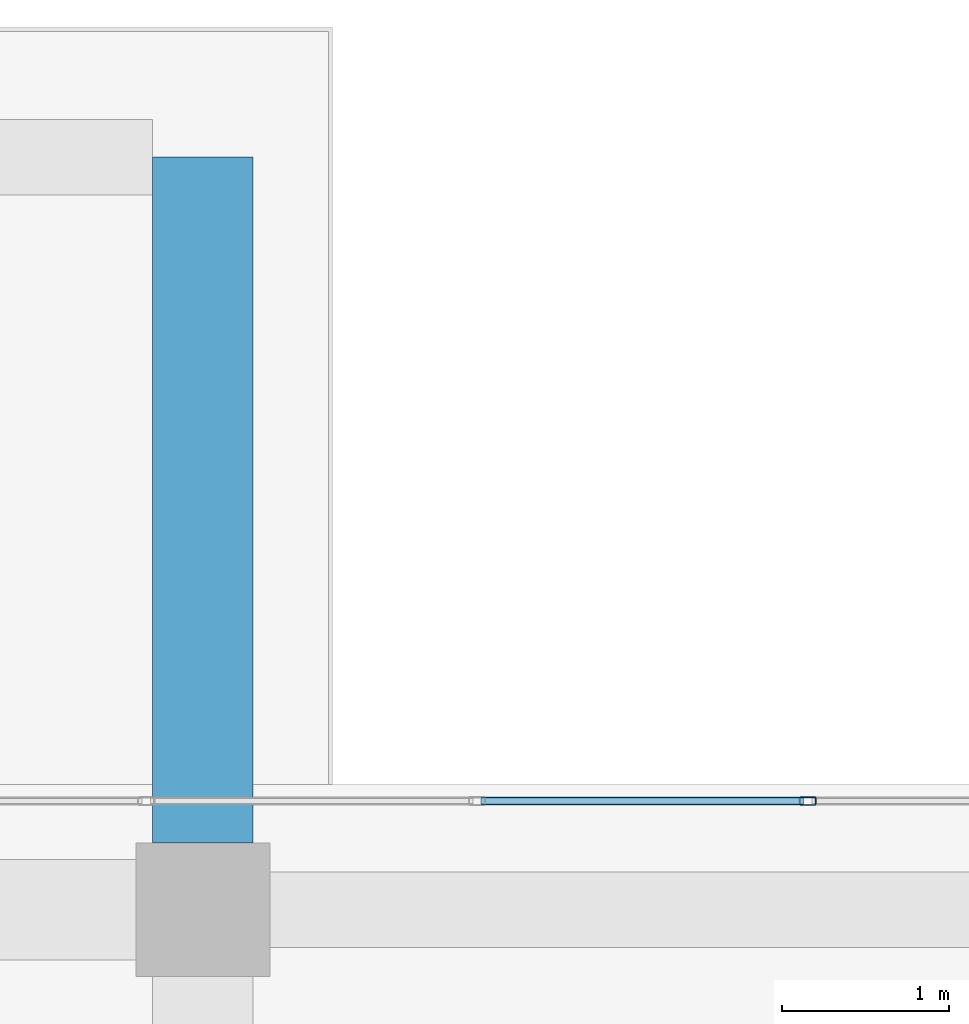
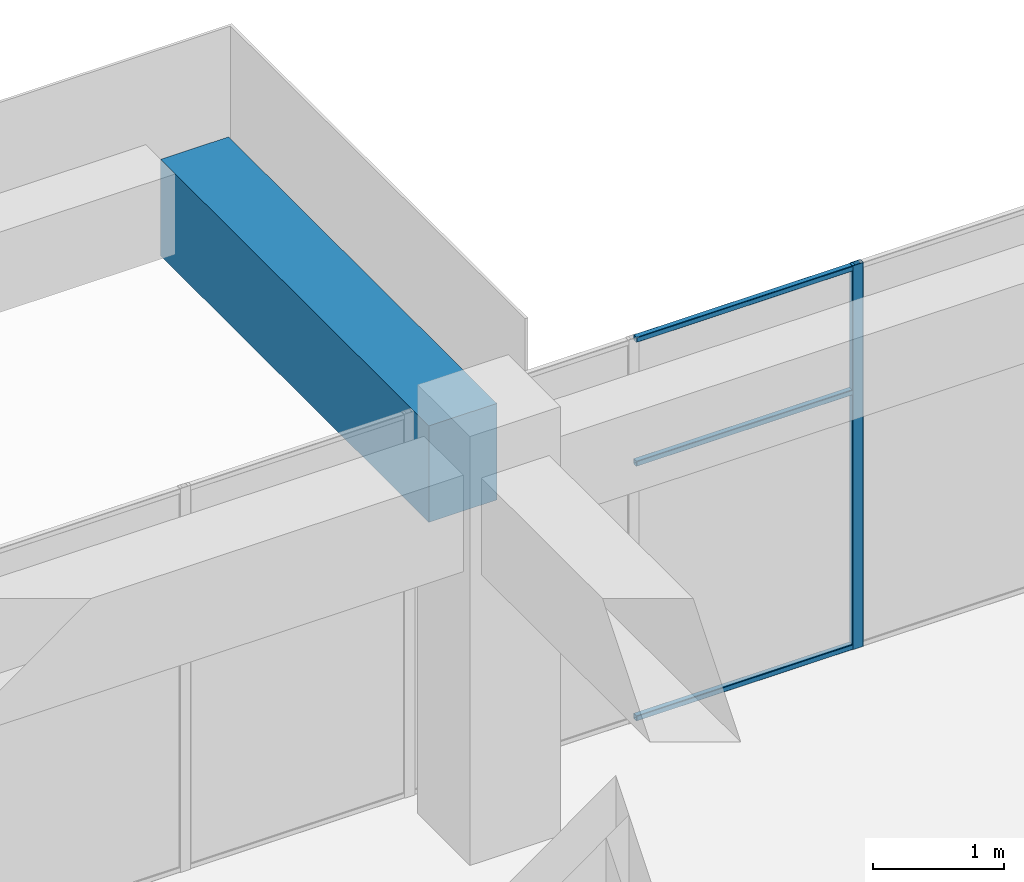
# One storey, part 41 of 72: 4 members, 1 beam, 1 element without a shape of its own.
"""IFC4 building model written with IfcOpenShell, lengths in metres."""

from ifc_helpers import new_model, si_unit, direction, frame, origin, origin_2d, place, context, subcontext, project, spatial, rectangle, hollow_rectangle, extrude, material, layer, layer_set, material_profile, profile_set, type_object, element, aggregate, save


model = new_model("IFC4")

# Units and contexts
model_context = context("Model", 3, precision=1e-05, world=origin(), true_north=direction((0.0, 1.0)))
body_context = subcontext(model_context, "Body", "Model", "MODEL_VIEW")
ifc_project = project(units=[si_unit("LENGTHUNIT", "METRE"), si_unit("AREAUNIT", "SQUARE_METRE"), si_unit("VOLUMEUNIT", "CUBIC_METRE"), si_unit("PLANEANGLEUNIT", "RADIAN"), si_unit("MASSUNIT", "GRAM", prefix="KILO")], contexts=[model_context])

# Site, building, storey
site_placement = place(None, origin())
site = spatial("IfcSite", under=ifc_project, at=site_placement, CompositionType="ELEMENT")
building_placement = place(site_placement, origin())
building = spatial("IfcBuilding", under=site, at=building_placement, Name="Tuart Plaza Theatre", CompositionType="ELEMENT")
storey_placement = place(building_placement, frame((0.0, 0.0, 13.5)))
storey = spatial("IfcBuildingStorey", under=building, at=storey_placement, Name="L03", CompositionType="ELEMENT", Elevation=13.5)

# Beam
ifc_material_1 = material(Name="Concrete N40 (40 MPa)", Category="concrete")
ifc_material_profile_1 = material_profile(ifc_material_1, rectangle(XDim=0.60009765625, YDim=0.89990234375, at=origin_2d()), Name="BEAM 600x900 Concrete N40 (40 MPa)")
ifc_profile_set_1 = profile_set([ifc_material_profile_1], Name="Concrete N40 (40 MPa)")
beam_type = type_object("IfcBeamType", Name="BEAM 600x900 Concrete N40 (40 MPa)", PredefinedType="BEAM", material=ifc_profile_set_1)
beam_placement = place(storey_placement, frame((141.0, 92.39990234375, 3.1298828125), z_axis=(0.0, 1.0, 0.0), x_axis=(-1.0, 0.0, 0.0)))
element("IfcBeam", 1, at=beam_placement, inside=storey, type_object=beam_type, Name="RB206", PredefinedType="BEAM", context=body_context, shape_type="SweptSolid", body=[
    extrude(rectangle(XDim=0.60009765625, YDim=0.89990234375, at=origin_2d()), origin(), (0.0, 0.0, 1.0), 4.10009765625),
])

# Curtain wall, members
ifc_material_2 = material(Name="Aluminium and glass", Category="aluminium")
ifc_layer = layer(ifc_material_2, 0.10009765625)
ifc_layer_set = layer_set([ifc_layer], Name="CURTAIN WALL 2000 module")
curtain_wall_type = type_object("IfcCurtainWallType", Name="CURTAIN WALL 2000 module", PredefinedType="NOTDEFINED", material=ifc_layer_set)
curtain_wall_placement = place(storey_placement, origin())
curtain_wall = element("IfcCurtainWall", 2, at=curtain_wall_placement, inside=storey, type_object=curtain_wall_type, Name="CW70", PredefinedType="NOTDEFINED")
ifc_material_3 = material(Name="Aluminium 6063-T5", Category="aluminium")
ifc_material_profile_2 = material_profile(ifc_material_3, hollow_rectangle(XDim=0.050048828125, YDim=0.10009765625, WallThickness=0.00390625, InnerFilletRadius=0.00390625, OuterFilletRadius=0.008056640625, at=origin_2d()), Name="RHS 100x50x4")
ifc_profile_set_2 = profile_set([ifc_material_profile_2], Name="Aluminium 6063-T5")
member_type_1 = type_object("IfcMemberType", Name="MULLION RHS 100x50x4", PredefinedType="MULLION", material=ifc_profile_set_2)
member_1_placement = place(storey_placement, frame((144.61669921875, 92.64990234375, 0.0), z_axis=(0.0, 0.0, 1.0), x_axis=(0.0, -1.0, 0.0)))
member_1 = element("IfcMember", 3, at=member_1_placement, type_object=member_type_1, Name="CW70 mullion 4", PredefinedType="MULLION", context=body_context, shape_type="SweptSolid", body=[
    extrude(hollow_rectangle(XDim=0.050048828125, YDim=0.10009765625, WallThickness=0.00390625, InnerFilletRadius=0.00390625, OuterFilletRadius=0.008056640625, at=origin_2d()), origin(), (0.0, 0.0, 1.0), 3.580078125),
])
ifc_material_4 = material(Name="Aluminium 6063-T5", Category="aluminium")
ifc_material_profile_3 = material_profile(ifc_material_4, hollow_rectangle(XDim=0.050048828125, YDim=0.050048828125, WallThickness=0.00390625, InnerFilletRadius=0.00390625, OuterFilletRadius=0.008056640625, at=origin_2d()), Name="RHS 50x50x4")
ifc_profile_set_3 = profile_set([ifc_material_profile_3], Name="Aluminium 6063-T5")
member_type_2 = type_object("IfcMemberType", Name="TRANSOM RHS 50x50x4", PredefinedType="USERDEFINED", material=ifc_profile_set_3)
member_2_placement = place(storey_placement, frame((144.591552734375, 92.64990234375, 0.02490234375), z_axis=(-1.0, 0.0, 0.0), x_axis=(0.0, -1.0, 0.0)))
member_2 = element("IfcMember", 4, at=member_2_placement, type_object=member_type_2, Name="CW70 transom 4.1", ObjectType="TRANSOM", PredefinedType="USERDEFINED", context=body_context, shape_type="SweptSolid", body=[
    extrude(hollow_rectangle(XDim=0.050048828125, YDim=0.050048828125, WallThickness=0.00390625, InnerFilletRadius=0.00390625, OuterFilletRadius=0.008056640625, at=origin_2d()), origin(), (0.0, 0.0, 1.0), 1.927734375),
])
member_3_placement = place(storey_placement, frame((144.591552734375, 92.64990234375, 2.39990234375), z_axis=(-1.0, 0.0, 0.0), x_axis=(0.0, -1.0, 0.0)))
member_3 = element("IfcMember", 5, at=member_3_placement, type_object=member_type_2, Name="CW70 transom 4.2", ObjectType="TRANSOM", PredefinedType="USERDEFINED", context=body_context, shape_type="SweptSolid", body=[
    extrude(hollow_rectangle(XDim=0.050048828125, YDim=0.050048828125, WallThickness=0.00390625, InnerFilletRadius=0.00390625, OuterFilletRadius=0.008056640625, at=origin_2d()), origin(), (0.0, 0.0, 1.0), 1.927734375),
])
member_4_placement = place(storey_placement, frame((144.591552734375, 92.64990234375, 3.554931640625), z_axis=(-1.0, 0.0, 0.0), x_axis=(0.0, -1.0, 0.0)))
member_4 = element("IfcMember", 6, at=member_4_placement, type_object=member_type_2, Name="CW70 transom 4.3", ObjectType="TRANSOM", PredefinedType="USERDEFINED", context=body_context, shape_type="SweptSolid", body=[
    extrude(hollow_rectangle(XDim=0.050048828125, YDim=0.050048828125, WallThickness=0.00390625, InnerFilletRadius=0.00390625, OuterFilletRadius=0.008056640625, at=origin_2d()), origin(), (0.0, 0.0, 1.0), 1.927734375),
])
aggregate(curtain_wall, [member_1, member_2, member_3, member_4])

save(model, "model.ifc")
